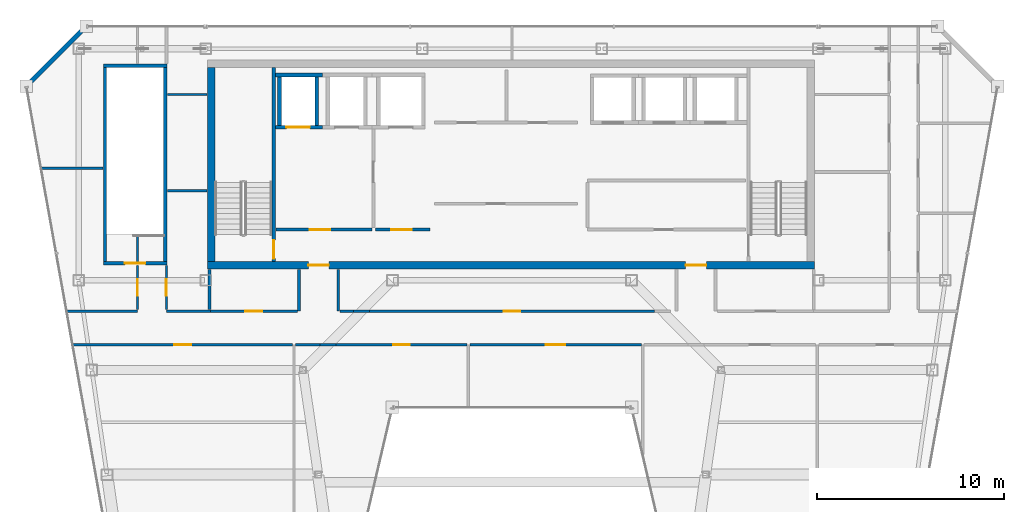
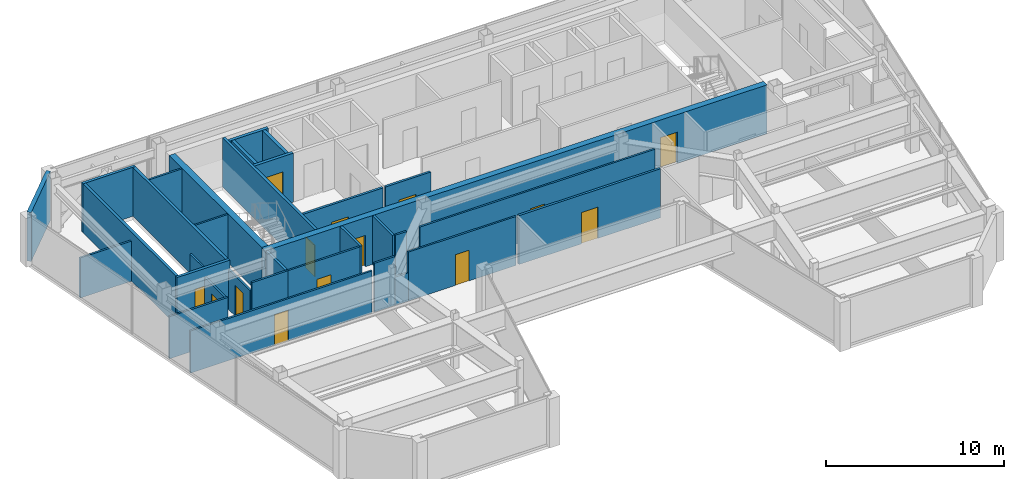
# One storey, part 25 of 30: 34 walls, 14 doors, 14 openings.
"""IFC4 building model written with IfcOpenShell, lengths in metres."""

from ifc_helpers import new_model, si_unit, direction, frame, frame_2d, origin, place, context, subcontext, project, spatial, rectangle, extrude, material, layer, layer_set, type_object, element, fill, save


model = new_model("IFC4")

# Units and contexts
model_context = context("Model", 3, precision=1e-05, world=origin(), true_north=direction((0.0, 1.0)))
body_context = subcontext(model_context, "Body", "Model", "MODEL_VIEW")
ifc_project = project(units=[si_unit("LENGTHUNIT", "METRE"), si_unit("AREAUNIT", "SQUARE_METRE"), si_unit("VOLUMEUNIT", "CUBIC_METRE"), si_unit("PLANEANGLEUNIT", "RADIAN"), si_unit("MASSUNIT", "GRAM", prefix="KILO")], contexts=[model_context])

# Site, building, storey
site_placement = place(None, origin())
site = spatial("IfcSite", under=ifc_project, at=site_placement, CompositionType="ELEMENT")
building_placement = place(site_placement, origin())
building = spatial("IfcBuilding", under=site, at=building_placement, Name="Saevonmaru Cultural Tower", CompositionType="ELEMENT")
storey_placement = place(building_placement, frame((0.0, 0.0, 272.39990234375)))
storey = spatial("IfcBuildingStorey", under=building, at=storey_placement, Name="L64", CompositionType="ELEMENT", Elevation=272.39990234375)

# Wall, openings, doors
ifc_material_1 = material(Name="Concrete C50/60", Category="concrete")
ifc_layer_1 = layer(ifc_material_1, 0.39990234375, Name="Concrete C50/60")
ifc_layer_set_1 = layer_set([ifc_layer_1], Name="Concrete C50/60")
wall_type_1 = type_object("IfcWallType", Name="WL-CORE-400", PredefinedType="SHEAR", material=ifc_layer_set_1)
wall_1_placement = place(storey_placement, frame((13.699951171875, 43.199951171875, 0.0), z_axis=(0.0, 0.0, 1.0), x_axis=(1.0, 0.0, 0.0)))
wall_1 = element("IfcWall", 1, at=wall_1_placement, inside=storey, type_object=wall_type_1, Name="L64 Tower RC core shear wall S", PredefinedType="SHEAR", context=body_context, shape_type="SweptSolid", body=[
    extrude(rectangle(XDim=32.5, YDim=0.39990234375, at=frame_2d((16.25, 0.0))), origin(), (0.0, 0.0, 1.0), 3.35009765625),
])
opening_1_placement = place(wall_1_placement, frame((5.39990234375, 0.0, 0.0)))
opening_1 = element("IfcOpeningElement", 2, at=opening_1_placement, cuts=wall_1, Name="Opening FD-2", PredefinedType="OPENING", context=body_context, shape_type="SweptSolid", body=[
    extrude(rectangle(XDim=1.10009765625, YDim=2.14990234375, at=frame_2d((0.550048828125, 1.074951171875))), frame((0.0, 0.2099609375, 0.0), z_axis=(0.0, -1.0, 0.0), x_axis=(1.0, 0.0, 0.0)), (0.0, 0.0, 1.0), 0.419921875),
])
opening_2_placement = place(wall_1_placement, frame((25.60009765625, 0.0, 0.0)))
opening_2 = element("IfcOpeningElement", 3, at=opening_2_placement, cuts=wall_1, Name="Opening FD-2", PredefinedType="OPENING", context=body_context, shape_type="SweptSolid", body=[
    extrude(rectangle(XDim=1.10009765625, YDim=2.14990234375, at=frame_2d((0.550048828125, 1.074951171875))), frame((0.0, 0.2099609375, 0.0), z_axis=(0.0, -1.0, 0.0), x_axis=(1.0, 0.0, 0.0)), (0.0, 0.0, 1.0), 0.419921875),
])
ifc_material_2 = material(Name="Satin Bronze Anodised Aluminium", Category="aluminium")
door_type_1 = type_object("IfcDoorType", Name="DR-FD60-1100", OperationType="SINGLE_SWING_LEFT", PredefinedType="DOOR", material=ifc_material_2)
door_1_placement = place(opening_1_placement, origin())
door_1 = element("IfcDoor", 4, at=door_1_placement, inside=storey, type_object=door_type_1, Name="L64 Core West Lobby Fire Door", OperationType="SINGLE_SWING_LEFT", OverallHeight=2.14990234375, OverallWidth=1.10009765625, PredefinedType="DOOR", context=body_context, shape_type="SweptSolid", body=[
    extrude(rectangle(XDim=1.10009765625, YDim=2.14990234375, at=frame_2d((0.550048828125, 1.074951171875))), frame((0.0, 0.02490234375, 0.0), z_axis=(0.0, -1.0, 0.0), x_axis=(1.0, 0.0, 0.0)), (0.0, 0.0, 1.0), 0.050048828125),
])
fill(opening_1, door_1)
door_2_placement = place(opening_2_placement, origin())
door_2 = element("IfcDoor", 5, at=door_2_placement, inside=storey, type_object=door_type_1, Name="L64 Core East Lobby Fire Door", OperationType="SINGLE_SWING_LEFT", OverallHeight=2.14990234375, OverallWidth=1.10009765625, PredefinedType="DOOR", context=body_context, shape_type="SweptSolid", body=[
    extrude(rectangle(XDim=1.10009765625, YDim=2.14990234375, at=frame_2d((0.550048828125, 1.074951171875))), frame((0.0, 0.02490234375, 0.0), z_axis=(0.0, -1.0, 0.0), x_axis=(1.0, 0.0, 0.0)), (0.0, 0.0, 1.0), 0.050048828125),
])
fill(opening_2, door_2)

# Wall
wall_2_placement = place(storey_placement, frame((13.89990234375, 43.39990234375, 0.0), z_axis=(0.0, 0.0, 1.0), x_axis=(0.0, 1.0, 0.0)))
element("IfcWall", 6, at=wall_2_placement, inside=storey, type_object=wall_type_1, Name="L64 Tower RC core shear wall W", PredefinedType="SHEAR", context=body_context, shape_type="SweptSolid", body=[
    extrude(rectangle(XDim=10.400146484375, YDim=0.39990234375, at=frame_2d((5.2001953125, 0.0))), origin(), (0.0, 0.0, 1.0), 3.35009765625),
])

# Wall, opening, door
ifc_material_3 = material(Name="Gypsum Fireboard Partition", Category="gypsum")
ifc_layer_2 = layer(ifc_material_3, 0.14990234375, Name="Gypsum Fireboard Partition")
ifc_layer_set_2 = layer_set([ifc_layer_2], Name="Gypsum Fireboard Partition")
wall_type_2 = type_object("IfcWallType", Name="WL-CORE-PART-150", PredefinedType="PARTITIONING", material=ifc_layer_set_2)
wall_3_placement = place(storey_placement, frame((17.360107421875, 45.1201171875, 0.0), z_axis=(0.0, 0.0, 1.0), x_axis=(1.0, 0.0, 0.0)))
wall_3 = element("IfcWall", 7, at=wall_3_placement, inside=storey, type_object=wall_type_2, Name="L64 Firefighting Lift Lobby South Wall", PredefinedType="PARTITIONING", context=body_context, shape_type="SweptSolid", body=[
    extrude(rectangle(XDim=5.139892578125, YDim=0.14990234375, at=frame_2d((2.56982421875, 0.0))), origin(), (0.0, 0.0, 1.0), 3.35009765625),
])
opening_3_placement = place(wall_3_placement, frame((1.800048828125, 0.0, 0.0)))
opening_3 = element("IfcOpeningElement", 8, at=opening_3_placement, cuts=wall_3, Name="Opening FD-2", PredefinedType="OPENING", context=body_context, shape_type="SweptSolid", body=[
    extrude(rectangle(XDim=1.10009765625, YDim=2.14990234375, at=frame_2d((0.550048828125, 1.074951171875))), frame((0.0, 0.0849609375, 0.0), z_axis=(0.0, -1.0, 0.0), x_axis=(1.0, 0.0, 0.0)), (0.0, 0.0, 1.0), 0.169921875),
])
door_3_placement = place(opening_3_placement, origin())
door_3 = element("IfcDoor", 9, at=door_3_placement, inside=storey, type_object=door_type_1, Name="L64 Firefighting Lift Lobby South Door", OperationType="SINGLE_SWING_LEFT", OverallHeight=2.14990234375, OverallWidth=1.10009765625, PredefinedType="DOOR", context=body_context, shape_type="SweptSolid", body=[
    extrude(rectangle(XDim=1.10009765625, YDim=2.14990234375, at=frame_2d((0.550048828125, 1.074951171875))), frame((0.0, 0.02490234375, 0.0), z_axis=(0.0, -1.0, 0.0), x_axis=(1.0, 0.0, 0.0)), (0.0, 0.0, 1.0), 0.050048828125),
])
fill(opening_3, door_3)

wall_4_placement = place(storey_placement, frame((22.679931640625, 45.1201171875, 0.0), z_axis=(0.0, 0.0, 1.0), x_axis=(1.0, 0.0, 0.0)))
wall_4 = element("IfcWall", 10, at=wall_4_placement, inside=storey, type_object=wall_type_2, Name="L64 Service Lift Vestibule Wall", PredefinedType="PARTITIONING", context=body_context, shape_type="SweptSolid", body=[
    extrude(rectangle(XDim=2.920166015625, YDim=0.14990234375, at=frame_2d((1.4599609375, 0.0))), origin(), (0.0, 0.0, 1.0), 3.35009765625),
])
opening_4_placement = place(wall_4_placement, frame((0.85009765625, 0.0, 0.0)))
opening_4 = element("IfcOpeningElement", 11, at=opening_4_placement, cuts=wall_4, Name="Opening FD-2", PredefinedType="OPENING", context=body_context, shape_type="SweptSolid", body=[
    extrude(rectangle(XDim=1.10009765625, YDim=2.14990234375, at=frame_2d((0.550048828125, 1.074951171875))), frame((0.0, 0.0849609375, 0.0), z_axis=(0.0, -1.0, 0.0), x_axis=(1.0, 0.0, 0.0)), (0.0, 0.0, 1.0), 0.169921875),
])
door_4_placement = place(opening_4_placement, origin())
door_4 = element("IfcDoor", 12, at=door_4_placement, inside=storey, type_object=door_type_1, Name="L64 Service Lift Vestibule Door", OperationType="SINGLE_SWING_LEFT", OverallHeight=2.14990234375, OverallWidth=1.10009765625, PredefinedType="DOOR", context=body_context, shape_type="SweptSolid", body=[
    extrude(rectangle(XDim=1.10009765625, YDim=2.14990234375, at=frame_2d((0.550048828125, 1.074951171875))), frame((0.0, 0.02490234375, 0.0), z_axis=(0.0, -1.0, 0.0), x_axis=(1.0, 0.0, 0.0)), (0.0, 0.0, 1.0), 0.050048828125),
])
fill(opening_4, door_4)

# Walls
ifc_material_4 = material(Name="Granite-Clad Precast Concrete C40/50", Category="masonry")
ifc_layer_3 = layer(ifc_material_4, 0.260009765625, Name="Granite-Clad Precast Concrete C40/50")
ifc_layer_set_3 = layer_set([ifc_layer_3], Name="Granite-Clad Precast Concrete C40/50")
wall_type_3 = type_object("IfcWallType", Name="WL-EXT-SPANDREL-260", PredefinedType="STANDARD", material=ifc_layer_set_3)
wall_5_placement = place(storey_placement, frame((7.0869140625, 55.886962890625, 0.0), z_axis=(0.0, 0.0, 1.0), x_axis=(-0.707106781187, -0.707106781187, 0.0)))
element("IfcWall", 13, at=wall_5_placement, inside=storey, type_object=wall_type_3, Name="L64 Chamfer Corner Spandrel Wall E11", PredefinedType="STANDARD", context=body_context, shape_type="SweptSolid", body=[
    extrude(rectangle(XDim=4.205810546875, YDim=0.260009765625, at=frame_2d((2.10302734375, 0.0))), origin(), (0.0, 0.0, 1.0), 3.35009765625),
])
ifc_layer_4 = layer(ifc_material_3, 0.14990234375, Name="Gypsum Fireboard Partition")
ifc_layer_set_4 = layer_set([ifc_layer_4], Name="Gypsum Fireboard Partition")
wall_type_4 = type_object("IfcWallType", Name="WL-PART-FIRE-150", PredefinedType="PARTITIONING", material=ifc_layer_set_4)
wall_6_placement = place(storey_placement, frame((13.800048828125, 40.830078125, 0.0), z_axis=(0.0, 0.0, 1.0), x_axis=(0.0, 1.0, 0.0)))
element("IfcWall", 14, at=wall_6_placement, inside=storey, type_object=wall_type_4, Name="L64 Core Portal Side Wall W0", PredefinedType="PARTITIONING", context=body_context, shape_type="SweptSolid", body=[
    extrude(rectangle(XDim=2.14990234375, YDim=0.14990234375, at=frame_2d((1.074951171875, 0.0))), origin(), (0.0, 0.0, 1.0), 3.35009765625),
])
for number, where, z_axis, x_axis, name in (
    (15, (18.60009765625, 40.75, 0.0), (0.0, 0.0, 1.0), (0.0, 1.0, 0.0), "L64 Core Portal Side Wall W1"),
    (16, (20.699951171875, 40.75, 0.0), (0.0, 0.0, 1.0), (0.0, 1.0, 0.0), "L64 Core Portal Side Wall W2"),
):
    element("IfcWall", number, at=place(storey_placement, frame(where, z_axis=z_axis, x_axis=x_axis)), inside=storey, type_object=wall_type_4, Name=name, PredefinedType="PARTITIONING", context=body_context, shape_type="SweptSolid", body=[
        extrude(rectangle(XDim=2.22998046875, YDim=0.14990234375, at=frame_2d((1.114990234375, 0.0))), origin(), (0.0, 0.0, 1.0), 3.35009765625),
    ])

# Wall, opening, door
wall_7_placement = place(storey_placement, frame((27.757568359375, 38.949951171875, 0.0), z_axis=(0.0, 0.0, 1.0), x_axis=(1.0, 0.0, 0.0)))
wall_7 = element("IfcWall", 17, at=wall_7_placement, inside=storey, type_object=wall_type_4, Name="L64 Sculpture Study Gallery Corridor Wall", PredefinedType="PARTITIONING", context=body_context, shape_type="SweptSolid", body=[
    extrude(rectangle(XDim=9.162353515625, YDim=0.14990234375, at=frame_2d((4.5810546875, 0.0))), origin(), (0.0, 0.0, 1.0), 3.35009765625),
])
opening_5_placement = place(wall_7_placement, frame((4.055908203125, 0.0, 0.0)))
opening_5 = element("IfcOpeningElement", 18, at=opening_5_placement, cuts=wall_7, Name="Opening ID-1", PredefinedType="OPENING", context=body_context, shape_type="SweptSolid", body=[
    extrude(rectangle(XDim=1.050048828125, YDim=2.14990234375, at=frame_2d((0.52490234375, 1.074951171875))), frame((0.0, 0.0849609375, 0.0), z_axis=(0.0, -1.0, 0.0), x_axis=(1.0, 0.0, 0.0)), (0.0, 0.0, 1.0), 0.169921875),
])
door_type_2 = type_object("IfcDoorType", Name="DR-INT-1050", OperationType="SINGLE_SWING_LEFT", PredefinedType="DOOR", material=ifc_material_2)
door_5_placement = place(opening_5_placement, origin())
door_5 = element("IfcDoor", 19, at=door_5_placement, inside=storey, type_object=door_type_2, Name="L64 Sculpture Study Gallery Door", OperationType="SINGLE_SWING_LEFT", OverallHeight=2.14990234375, OverallWidth=1.050048828125, PredefinedType="DOOR", context=body_context, shape_type="SweptSolid", body=[
    extrude(rectangle(XDim=1.050048828125, YDim=2.14990234375, at=frame_2d((0.52490234375, 1.074951171875))), frame((0.0, 0.02490234375, 0.0), z_axis=(0.0, -1.0, 0.0), x_axis=(1.0, 0.0, 0.0)), (0.0, 0.0, 1.0), 0.050048828125),
])
fill(opening_5, door_5)

# Walls
ifc_layer_5 = layer(ifc_material_3, 0.1201171875, Name="Gypsum Fireboard Partition")
ifc_layer_set_5 = layer_set([ifc_layer_5], Name="Gypsum Fireboard Partition")
wall_type_5 = type_object("IfcWallType", Name="WL-PART-GYP-120", PredefinedType="PARTITIONING", material=ifc_layer_set_5)
wall_8_placement = place(storey_placement, frame((6.161376953125, 40.75, 0.0), z_axis=(0.0, 0.0, 1.0), x_axis=(1.0, 0.0, 0.0)))
element("IfcWall", 20, at=wall_8_placement, inside=storey, type_object=wall_type_5, Name="L64 NW Wing South Wall", PredefinedType="PARTITIONING", context=body_context, shape_type="SweptSolid", body=[
    extrude(rectangle(XDim=3.78857421875, YDim=0.1201171875, at=frame_2d((1.894287109375, 0.0))), origin(), (0.0, 0.0, 1.0), 2.885009765625),
])
wall_9_placement = place(storey_placement, frame((11.5, 40.75, 0.0), z_axis=(0.0, 0.0, 1.0), x_axis=(1.0, 0.0, 0.0)))
element("IfcWall", 21, at=wall_9_placement, inside=storey, type_object=wall_type_5, Name="L64 NW Inner South Wall", PredefinedType="PARTITIONING", context=body_context, shape_type="SweptSolid", body=[
    extrude(rectangle(XDim=2.35009765625, YDim=0.1201171875, at=frame_2d((1.175048828125, 0.0))), origin(), (0.0, 0.0, 1.0), 3.35009765625),
])
wall_10_placement = place(storey_placement, frame((11.550048828125, 52.35009765625, 0.0), z_axis=(0.0, 0.0, 1.0), x_axis=(1.0, 0.0, 0.0)))
element("IfcWall", 22, at=wall_10_placement, inside=storey, type_object=wall_type_5, Name="L64 North-West Panorama South Wall", PredefinedType="PARTITIONING", context=body_context, shape_type="SweptSolid", body=[
    extrude(rectangle(XDim=2.1298828125, YDim=0.1201171875, at=frame_2d((1.06494140625, 0.0))), origin(), (0.0, 0.0, 1.0), 3.35009765625),
])
wall_11_placement = place(storey_placement, frame((4.79248046875, 48.39990234375, 0.0), z_axis=(0.0, 0.0, 1.0), x_axis=(1.0, 0.0, 0.0)))
element("IfcWall", 23, at=wall_11_placement, inside=storey, type_object=wall_type_5, Name="L64 NW Studio Divider 1", PredefinedType="PARTITIONING", context=body_context, shape_type="SweptSolid", body=[
    extrude(rectangle(XDim=3.3076171875, YDim=0.1201171875, at=frame_2d((1.65380859375, 0.0))), origin(), (0.0, 0.0, 1.0), 2.7470703125),
])

# Wall, opening, door
wall_12_placement = place(storey_placement, frame((9.949951171875, 40.830078125, 0.0), z_axis=(0.0, 0.0, 1.0), x_axis=(0.0, 1.0, 0.0)))
wall_12 = element("IfcWall", 24, at=wall_12_placement, inside=storey, type_object=wall_type_5, Name="L64 Visiting Fellows Office Corridor Wall", PredefinedType="PARTITIONING", context=body_context, shape_type="SweptSolid", body=[
    extrude(rectangle(XDim=2.369873046875, YDim=0.1201171875, at=frame_2d((1.18505859375, 0.0))), origin(), (0.0, 0.0, 1.0), 2.7470703125),
])
opening_6_placement = place(wall_12_placement, frame((0.735107421875, 0.0, 0.0)))
opening_6 = element("IfcOpeningElement", 25, at=opening_6_placement, cuts=wall_12, Name="Opening ID-2", PredefinedType="OPENING", context=body_context, shape_type="SweptSolid", body=[
    extrude(rectangle(XDim=0.89990234375, YDim=2.10009765625, at=frame_2d((0.449951171875, 1.050048828125))), frame((0.0, 0.070068359375, 0.0), z_axis=(0.0, -1.0, 0.0), x_axis=(1.0, 0.0, 0.0)), (0.0, 0.0, 1.0), 0.14013671875),
])
ifc_material_5 = material(Name="Acoustic Stained Oak Timber", Category="wood")
door_type_3 = type_object("IfcDoorType", Name="DR-INT-900", OperationType="SINGLE_SWING_RIGHT", PredefinedType="DOOR", material=ifc_material_5)
door_6_placement = place(opening_6_placement, origin())
door_6 = element("IfcDoor", 26, at=door_6_placement, inside=storey, type_object=door_type_3, Name="L64 Visiting Fellows Office Door", OperationType="SINGLE_SWING_LEFT", OverallHeight=2.10009765625, OverallWidth=0.89990234375, PredefinedType="DOOR", context=body_context, shape_type="SweptSolid", body=[
    extrude(rectangle(XDim=0.89990234375, YDim=2.10009765625, at=frame_2d((0.449951171875, 1.050048828125))), frame((0.0, 0.02490234375, 0.0), z_axis=(0.0, -1.0, 0.0), x_axis=(1.0, 0.0, 0.0)), (0.0, 0.0, 1.0), 0.050048828125),
])
fill(opening_6, door_6)

# Walls
wall_13_placement = place(storey_placement, frame((9.949951171875, 43.419921875, 0.0), z_axis=(0.0, 0.0, 1.0), x_axis=(0.0, 1.0, 0.0)))
element("IfcWall", 27, at=wall_13_placement, inside=storey, type_object=wall_type_5, Name="L64 Visiting Fellows Office Corridor Wall (2)", PredefinedType="PARTITIONING", context=body_context, shape_type="SweptSolid", body=[
    extrude(rectangle(XDim=1.4501953125, YDim=0.1201171875, at=frame_2d((0.72509765625, 0.0))), origin(), (0.0, 0.0, 1.0), 3.35009765625),
])
wall_14_placement = place(storey_placement, frame((11.550048828125, 47.199951171875, 0.0), z_axis=(0.0, 0.0, 1.0), x_axis=(1.0, 0.0, 0.0)))
element("IfcWall", 28, at=wall_14_placement, inside=storey, type_object=wall_type_5, Name="L64 NW Inner Divider", PredefinedType="PARTITIONING", context=body_context, shape_type="SweptSolid", body=[
    extrude(rectangle(XDim=2.1298828125, YDim=0.1201171875, at=frame_2d((1.06494140625, 0.0))), origin(), (0.0, 0.0, 1.0), 3.35009765625),
])

# Wall, opening, door
wall_15_placement = place(storey_placement, frame((11.5, 40.830078125, 0.0), z_axis=(0.0, 0.0, 1.0), x_axis=(0.0, 1.0, 0.0)))
wall_15 = element("IfcWall", 29, at=wall_15_placement, inside=storey, type_object=wall_type_5, Name="L64 Digital Humanities Office Corridor Wall", PredefinedType="PARTITIONING", context=body_context, shape_type="SweptSolid", body=[
    extrude(rectangle(XDim=2.369873046875, YDim=0.1201171875, at=frame_2d((1.18505859375, 0.0))), origin(), (0.0, 0.0, 1.0), 2.7470703125),
])
opening_7_placement = place(wall_15_placement, frame((0.735107421875, 0.0, 0.0)))
opening_7 = element("IfcOpeningElement", 30, at=opening_7_placement, cuts=wall_15, Name="Opening ID-2", PredefinedType="OPENING", context=body_context, shape_type="SweptSolid", body=[
    extrude(rectangle(XDim=0.89990234375, YDim=2.10009765625, at=frame_2d((0.449951171875, 1.050048828125))), frame((0.0, 0.070068359375, 0.0), z_axis=(0.0, -1.0, 0.0), x_axis=(1.0, 0.0, 0.0)), (0.0, 0.0, 1.0), 0.14013671875),
])
door_7_placement = place(opening_7_placement, origin())
door_7 = element("IfcDoor", 31, at=door_7_placement, inside=storey, type_object=door_type_3, Name="L64 Digital Humanities Office Door", OperationType="SINGLE_SWING_RIGHT", OverallHeight=2.10009765625, OverallWidth=0.89990234375, PredefinedType="DOOR", context=body_context, shape_type="SweptSolid", body=[
    extrude(rectangle(XDim=0.89990234375, YDim=2.10009765625, at=frame_2d((0.449951171875, 1.050048828125))), frame((0.0, 0.02490234375, 0.0), z_axis=(0.0, -1.0, 0.0), x_axis=(1.0, 0.0, 0.0)), (0.0, 0.0, 1.0), 0.050048828125),
])
fill(opening_7, door_7)

wall_16_placement = place(storey_placement, frame((13.85009765625, 40.75, 0.0), z_axis=(0.0, 0.0, 1.0), x_axis=(1.0, 0.0, 0.0)))
wall_16 = element("IfcWall", 32, at=wall_16_placement, inside=storey, type_object=wall_type_5, Name="L64 Visiting Fellows Office Corridor Wall", PredefinedType="PARTITIONING", context=body_context, shape_type="SweptSolid", body=[
    extrude(rectangle(XDim=4.65478515625, YDim=0.1201171875, at=frame_2d((2.327392578125, 0.0))), origin(), (0.0, 0.0, 1.0), 3.35009765625),
])
opening_8_placement = place(wall_16_placement, frame((1.876953125, 0.0, 0.0)))
opening_8 = element("IfcOpeningElement", 33, at=opening_8_placement, cuts=wall_16, Name="Opening ID-2", PredefinedType="OPENING", context=body_context, shape_type="SweptSolid", body=[
    extrude(rectangle(XDim=0.89990234375, YDim=2.10009765625, at=frame_2d((0.449951171875, 1.050048828125))), frame((0.0, 0.070068359375, 0.0), z_axis=(0.0, -1.0, 0.0), x_axis=(1.0, 0.0, 0.0)), (0.0, 0.0, 1.0), 0.14013671875),
])
door_8_placement = place(opening_8_placement, origin())
door_8 = element("IfcDoor", 34, at=door_8_placement, inside=storey, type_object=door_type_3, Name="L64 Visiting Fellows Office Door", OperationType="SINGLE_SWING_RIGHT", OverallHeight=2.10009765625, OverallWidth=0.89990234375, PredefinedType="DOOR", context=body_context, shape_type="SweptSolid", body=[
    extrude(rectangle(XDim=0.89990234375, YDim=2.10009765625, at=frame_2d((0.449951171875, 1.050048828125))), frame((0.0, 0.02490234375, 0.0), z_axis=(0.0, -1.0, 0.0), x_axis=(1.0, 0.0, 0.0)), (0.0, 0.0, 1.0), 0.050048828125),
])
fill(opening_8, door_8)

wall_17_placement = place(storey_placement, frame((22.3837890625, 40.75, 0.0), z_axis=(0.0, 0.0, 1.0), x_axis=(1.0, 0.0, 0.0)))
wall_17 = element("IfcWall", 35, at=wall_17_placement, inside=storey, type_object=wall_type_5, Name="L64 Digital Humanities Office Corridor Wall", PredefinedType="PARTITIONING", context=body_context, shape_type="SweptSolid", body=[
    extrude(rectangle(XDim=15.232421875, YDim=0.1201171875, at=frame_2d((7.6162109375, 0.0))), origin(), (0.0, 0.0, 1.0), 3.35009765625),
])
opening_9_placement = place(wall_17_placement, frame((7.166015625, 0.0, 0.0)))
opening_9 = element("IfcOpeningElement", 36, at=opening_9_placement, cuts=wall_17, Name="Opening ID-2", PredefinedType="OPENING", context=body_context, shape_type="SweptSolid", body=[
    extrude(rectangle(XDim=0.89990234375, YDim=2.10009765625, at=frame_2d((0.449951171875, 1.050048828125))), frame((0.0, 0.070068359375, 0.0), z_axis=(0.0, -1.0, 0.0), x_axis=(1.0, 0.0, 0.0)), (0.0, 0.0, 1.0), 0.14013671875),
])
door_9_placement = place(opening_9_placement, origin())
door_9 = element("IfcDoor", 37, at=door_9_placement, inside=storey, type_object=door_type_3, Name="L64 Digital Humanities Office Door", OperationType="SINGLE_SWING_LEFT", OverallHeight=2.10009765625, OverallWidth=0.89990234375, PredefinedType="DOOR", context=body_context, shape_type="SweptSolid", body=[
    extrude(rectangle(XDim=0.89990234375, YDim=2.10009765625, at=frame_2d((0.449951171875, 1.050048828125))), frame((0.0, 0.02490234375, 0.0), z_axis=(0.0, -1.0, 0.0), x_axis=(1.0, 0.0, 0.0)), (0.0, 0.0, 1.0), 0.050048828125),
])
fill(opening_9, door_9)

# Walls
wall_18_placement = place(storey_placement, frame((20.794921875, 40.75, 0.0), z_axis=(0.0, 0.0, 1.0), x_axis=(1.0, 0.0, 0.0)))
element("IfcWall", 38, at=wall_18_placement, inside=storey, type_object=wall_type_5, Name="L64 Digital Humanities Office Corridor Wall (2)", PredefinedType="PARTITIONING", context=body_context, shape_type="SweptSolid", body=[
    extrude(rectangle(XDim=0.726806640625, YDim=0.1201171875, at=frame_2d((0.36328125, 0.0))), origin(), (0.0, 0.0, 1.0), 3.35009765625),
])
wall_19_placement = place(storey_placement, frame((21.521728515625, 40.75, 0.0), z_axis=(0.0, 0.0, 1.0), x_axis=(1.0, 0.0, 0.0)))
element("IfcWall", 39, at=wall_19_placement, inside=storey, type_object=wall_type_5, Name="L64 Digital Humanities Office Corridor Wall (3)", PredefinedType="PARTITIONING", context=body_context, shape_type="SweptSolid", body=[
    extrude(rectangle(XDim=0.862060546875, YDim=0.1201171875, at=frame_2d((0.43115234375, 0.0))), origin(), (0.0, 0.0, 1.0), 1.93505859375),
])

# Wall, opening, door
wall_20_placement = place(storey_placement, frame((6.4833984375, 38.949951171875, 0.0), z_axis=(0.0, 0.0, 1.0), x_axis=(1.0, 0.0, 0.0)))
wall_20 = element("IfcWall", 40, at=wall_20_placement, inside=storey, type_object=wall_type_5, Name="L64 Visiting Fellows Office Corridor Wall", PredefinedType="PARTITIONING", context=body_context, shape_type="SweptSolid", body=[
    extrude(rectangle(XDim=11.7666015625, YDim=0.1201171875, at=frame_2d((5.88330078125, 0.0))), origin(), (0.0, 0.0, 1.0), 2.885009765625),
])
opening_10_placement = place(wall_20_placement, frame((5.43310546875, 0.0, 0.0)))
opening_10 = element("IfcOpeningElement", 41, at=opening_10_placement, cuts=wall_20, Name="Opening ID-2", PredefinedType="OPENING", context=body_context, shape_type="SweptSolid", body=[
    extrude(rectangle(XDim=0.89990234375, YDim=2.10009765625, at=frame_2d((0.449951171875, 1.050048828125))), frame((0.0, 0.070068359375, 0.0), z_axis=(0.0, -1.0, 0.0), x_axis=(1.0, 0.0, 0.0)), (0.0, 0.0, 1.0), 0.14013671875),
])
door_10_placement = place(opening_10_placement, origin())
door_10 = element("IfcDoor", 42, at=door_10_placement, inside=storey, type_object=door_type_3, Name="L64 Visiting Fellows Office Door", OperationType="SINGLE_SWING_LEFT", OverallHeight=2.10009765625, OverallWidth=0.89990234375, PredefinedType="DOOR", context=body_context, shape_type="SweptSolid", body=[
    extrude(rectangle(XDim=0.89990234375, YDim=2.10009765625, at=frame_2d((0.449951171875, 1.050048828125))), frame((0.0, 0.02490234375, 0.0), z_axis=(0.0, -1.0, 0.0), x_axis=(1.0, 0.0, 0.0)), (0.0, 0.0, 1.0), 0.050048828125),
])
fill(opening_10, door_10)

wall_21_placement = place(storey_placement, frame((20.586669921875, 38.949951171875, 0.0), z_axis=(0.0, 0.0, 1.0), x_axis=(1.0, 0.0, 0.0)))
wall_21 = element("IfcWall", 43, at=wall_21_placement, inside=storey, type_object=wall_type_5, Name="L64 Digital Humanities Office Corridor Wall", PredefinedType="PARTITIONING", context=body_context, shape_type="SweptSolid", body=[
    extrude(rectangle(XDim=6.995849609375, YDim=0.1201171875, at=frame_2d((3.498046875, 0.0))), origin(), (0.0, 0.0, 1.0), 3.35009765625),
])
opening_11_placement = place(wall_21_placement, frame((3.048095703125, 0.0, 0.0)))
opening_11 = element("IfcOpeningElement", 44, at=opening_11_placement, cuts=wall_21, Name="Opening ID-2", PredefinedType="OPENING", context=body_context, shape_type="SweptSolid", body=[
    extrude(rectangle(XDim=0.89990234375, YDim=2.10009765625, at=frame_2d((0.449951171875, 1.050048828125))), frame((0.0, 0.070068359375, 0.0), z_axis=(0.0, -1.0, 0.0), x_axis=(1.0, 0.0, 0.0)), (0.0, 0.0, 1.0), 0.14013671875),
])
door_11_placement = place(opening_11_placement, origin())
door_11 = element("IfcDoor", 45, at=door_11_placement, inside=storey, type_object=door_type_3, Name="L64 Digital Humanities Office Door", OperationType="SINGLE_SWING_RIGHT", OverallHeight=2.10009765625, OverallWidth=0.89990234375, PredefinedType="DOOR", context=body_context, shape_type="SweptSolid", body=[
    extrude(rectangle(XDim=0.89990234375, YDim=2.10009765625, at=frame_2d((0.449951171875, 1.050048828125))), frame((0.0, 0.02490234375, 0.0), z_axis=(0.0, -1.0, 0.0), x_axis=(1.0, 0.0, 0.0)), (0.0, 0.0, 1.0), 0.050048828125),
])
fill(opening_11, door_11)

# Walls
wall_22_placement = place(storey_placement, frame((18.409912109375, 38.949951171875, 0.0), z_axis=(0.0, 0.0, 1.0), x_axis=(1.0, 0.0, 0.0)))
element("IfcWall", 46, at=wall_22_placement, inside=storey, type_object=wall_type_5, Name="L64 Digital Humanities Office Corridor Wall (2)", PredefinedType="PARTITIONING", context=body_context, shape_type="SweptSolid", body=[
    extrude(rectangle(XDim=1.31494140625, YDim=0.1201171875, at=frame_2d((0.657470703125, 0.0))), origin(), (0.0, 0.0, 1.0), 3.35009765625),
])
wall_23_placement = place(storey_placement, frame((19.724853515625, 38.949951171875, 0.0), z_axis=(0.0, 0.0, 1.0), x_axis=(1.0, 0.0, 0.0)))
element("IfcWall", 47, at=wall_23_placement, inside=storey, type_object=wall_type_5, Name="L64 Digital Humanities Office Corridor Wall (3)", PredefinedType="PARTITIONING", context=body_context, shape_type="SweptSolid", body=[
    extrude(rectangle(XDim=0.86181640625, YDim=0.1201171875, at=frame_2d((0.430908203125, 0.0))), origin(), (0.0, 0.0, 1.0), 1.93505859375),
])

# Wall, opening, door
ifc_material_6 = material(Name="Concrete C40/50", Category="concrete")
ifc_layer_6 = layer(ifc_material_6, 0.199951171875, Name="Concrete C40/50")
ifc_layer_set_6 = layer_set([ifc_layer_6], Name="Concrete C40/50")
wall_type_6 = type_object("IfcWallType", Name="WL-SHAFT-200", PredefinedType="SHEAR", material=ifc_layer_set_6)
wall_24_placement = place(storey_placement, frame((17.330078125, 50.60009765625, 0.0), z_axis=(0.0, 0.0, 1.0), x_axis=(1.0, 0.0, 0.0)))
wall_24 = element("IfcWall", 48, at=wall_24_placement, inside=storey, type_object=wall_type_6, Name="L64 Lift FFL-1 Hoistway Wall S", PredefinedType="SHEAR", context=body_context, shape_type="SweptSolid", body=[
    extrude(rectangle(XDim=2.52001953125, YDim=0.199951171875, at=frame_2d((1.260009765625, 0.0))), origin(), (0.0, 0.0, 1.0), 3.35009765625),
])
opening_12_placement = place(wall_24_placement, frame((0.594970703125, 0.0, 0.0)))
opening_12 = element("IfcOpeningElement", 49, at=opening_12_placement, cuts=wall_24, Name="Opening LD-2", PredefinedType="OPENING", context=body_context, shape_type="SweptSolid", body=[
    extrude(rectangle(XDim=1.25, YDim=2.300048828125, at=frame_2d((0.625, 1.14990234375))), frame((0.0, 0.10986328125, 0.0), z_axis=(0.0, -1.0, 0.0), x_axis=(1.0, 0.0, 0.0)), (0.0, 0.0, 1.0), 0.219970703125),
])
ifc_material_7 = material(Name="Stainless Steel 316", Category="steel")
door_type_4 = type_object("IfcDoorType", Name="DR-LIFT-1250", OperationType="SLIDING_TO_LEFT", PredefinedType="DOOR", material=ifc_material_7)
door_12_placement = place(opening_12_placement, origin())
door_12 = element("IfcDoor", 50, at=door_12_placement, inside=storey, type_object=door_type_4, Name="L64 Lift FFL-1 Sliding Landing Door", OperationType="SLIDING_TO_LEFT", OverallHeight=2.300048828125, OverallWidth=1.25, PredefinedType="DOOR", context=body_context, shape_type="SweptSolid", body=[
    extrude(rectangle(XDim=1.25, YDim=2.300048828125, at=frame_2d((0.625, 1.14990234375))), frame((0.0, 0.02490234375, 0.0), z_axis=(0.0, -1.0, 0.0), x_axis=(1.0, 0.0, 0.0)), (0.0, 0.0, 1.0), 0.050048828125),
])
fill(opening_12, door_12)

# Walls
wall_25_placement = place(storey_placement, frame((17.330078125, 53.39990234375, 0.0), z_axis=(0.0, 0.0, 1.0), x_axis=(1.0, 0.0, 0.0)))
element("IfcWall", 51, at=wall_25_placement, inside=storey, type_object=wall_type_6, Name="L64 Lift FFL-1 Hoistway Wall N", PredefinedType="SHEAR", context=body_context, shape_type="SweptSolid", body=[
    extrude(rectangle(XDim=2.52001953125, YDim=0.199951171875, at=frame_2d((1.260009765625, 0.0))), origin(), (0.0, 0.0, 1.0), 3.35009765625),
])
for number, where, z_axis, x_axis, name in (
    (52, (17.550048828125, 50.699951171875, 0.0), (0.0, 0.0, 1.0), (0.0, 1.0, 0.0), "L64 Lift FFL-1 Hoistway Wall W"),
    (53, (19.550048828125, 50.699951171875, 0.0), (0.0, 0.0, 1.0), (0.0, 1.0, 0.0), "L64 Lift FFL-1 Hoistway Wall E"),
):
    element("IfcWall", number, at=place(storey_placement, frame(where, z_axis=z_axis, x_axis=x_axis)), inside=storey, type_object=wall_type_6, Name=name, PredefinedType="SHEAR", context=body_context, shape_type="SweptSolid", body=[
        extrude(rectangle(XDim=2.60009765625, YDim=0.199951171875, at=frame_2d((1.300048828125, 0.0))), origin(), (0.0, 0.0, 1.0), 3.35009765625),
    ])

# Wall, opening, door
ifc_layer_7 = layer(ifc_material_6, 0.179931640625, Name="Concrete C40/50")
ifc_layer_set_7 = layer_set([ifc_layer_7], Name="Concrete C40/50")
wall_type_7 = type_object("IfcWallType", Name="WL-STSHAFT-180", PredefinedType="SHEAR", material=ifc_layer_set_7)
wall_26_placement = place(storey_placement, frame((17.239990234375, 43.39990234375, 0.0), z_axis=(0.0, 0.0, 1.0), x_axis=(0.0, 1.0, 0.0)))
wall_26 = element("IfcWall", 54, at=wall_26_placement, inside=storey, type_object=wall_type_7, Name="L64 Stair ST-1 Structural Shaft Wall 1", PredefinedType="SHEAR", context=body_context, shape_type="SweptSolid", body=[
    extrude(rectangle(XDim=10.400146484375, YDim=0.179931640625, at=frame_2d((5.2001953125, 0.0))), origin(), (0.0, 0.0, 1.0), 3.35009765625),
])
opening_13_placement = place(wall_26_placement, frame((0.159912109375, 0.0, 0.0)))
opening_13 = element("IfcOpeningElement", 55, at=opening_13_placement, cuts=wall_26, Name="Opening FD-3", PredefinedType="OPENING", context=body_context, shape_type="SweptSolid", body=[
    extrude(rectangle(XDim=1.0, YDim=2.14990234375, at=frame_2d((0.5, 1.074951171875))), frame((0.0, 0.10009765625, 0.0), z_axis=(0.0, -1.0, 0.0), x_axis=(1.0, 0.0, 0.0)), (0.0, 0.0, 1.0), 0.199951171875),
])
door_type_5 = type_object("IfcDoorType", Name="DR-FD60-1000", OperationType="SINGLE_SWING_RIGHT", PredefinedType="DOOR", material=ifc_material_2)
door_13_placement = place(opening_13_placement, origin())
door_13 = element("IfcDoor", 56, at=door_13_placement, inside=storey, type_object=door_type_5, Name="L64 Protected Stair ST-1 Fire Door", OperationType="SINGLE_SWING_RIGHT", OverallHeight=2.14990234375, OverallWidth=1.0, PredefinedType="DOOR", context=body_context, shape_type="SweptSolid", body=[
    extrude(rectangle(XDim=1.0, YDim=2.14990234375, at=frame_2d((0.5, 1.074951171875))), frame((0.0, 0.02490234375, 0.0), z_axis=(0.0, -1.0, 0.0), x_axis=(1.0, 0.0, 0.0)), (0.0, 0.0, 1.0), 0.050048828125),
])
fill(opening_13, door_13)

wall_27_placement = place(storey_placement, frame((8.1201171875, 43.31005859375, 0.0), z_axis=(0.0, 0.0, 1.0), x_axis=(1.0, 0.0, 0.0)))
wall_27 = element("IfcWall", 57, at=wall_27_placement, inside=storey, type_object=wall_type_7, Name="L64 Stair ST-3 Structural Shaft Wall 1", PredefinedType="SHEAR", context=body_context, shape_type="SweptSolid", body=[
    extrude(rectangle(XDim=3.409912109375, YDim=0.179931640625, at=frame_2d((1.705078125, 0.0))), origin(), (0.0, 0.0, 1.0), 3.35009765625),
])
opening_14_placement = place(wall_27_placement, frame((1.14990234375, 0.0, 0.0)))
opening_14 = element("IfcOpeningElement", 58, at=opening_14_placement, cuts=wall_27, Name="Opening FD-2", PredefinedType="OPENING", context=body_context, shape_type="SweptSolid", body=[
    extrude(rectangle(XDim=1.10009765625, YDim=2.14990234375, at=frame_2d((0.550048828125, 1.074951171875))), frame((0.0, 0.10009765625, 0.0), z_axis=(0.0, -1.0, 0.0), x_axis=(1.0, 0.0, 0.0)), (0.0, 0.0, 1.0), 0.199951171875),
])
door_14_placement = place(opening_14_placement, origin())
door_14 = element("IfcDoor", 59, at=door_14_placement, inside=storey, type_object=door_type_1, Name="L64 Protected Stair ST-3 Fire Door", OperationType="SINGLE_SWING_LEFT", OverallHeight=2.14990234375, OverallWidth=1.10009765625, PredefinedType="DOOR", context=body_context, shape_type="SweptSolid", body=[
    extrude(rectangle(XDim=1.10009765625, YDim=2.14990234375, at=frame_2d((0.550048828125, 1.074951171875))), frame((0.0, 0.02490234375, 0.0), z_axis=(0.0, -1.0, 0.0), x_axis=(1.0, 0.0, 0.0)), (0.0, 0.0, 1.0), 0.050048828125),
])
fill(opening_14, door_14)

# Walls
wall_28_placement = place(storey_placement, frame((11.43994140625, 43.39990234375, 0.0), z_axis=(0.0, 0.0, 1.0), x_axis=(0.0, 1.0, 0.0)))
element("IfcWall", 60, at=wall_28_placement, inside=storey, type_object=wall_type_7, Name="L64 Stair ST-3 Structural Shaft Wall 2", PredefinedType="SHEAR", context=body_context, shape_type="SweptSolid", body=[
    extrude(rectangle(XDim=10.400146484375, YDim=0.179931640625, at=frame_2d((5.2001953125, 0.0))), origin(), (0.0, 0.0, 1.0), 3.35009765625),
])
wall_29_placement = place(storey_placement, frame((11.530029296875, 53.889892578125, 0.0), z_axis=(0.0, 0.0, 1.0), x_axis=(-1.0, 0.0, 0.0)))
element("IfcWall", 61, at=wall_29_placement, inside=storey, type_object=wall_type_7, Name="L64 Stair ST-3 Structural Shaft Wall 3", PredefinedType="SHEAR", context=body_context, shape_type="SweptSolid", body=[
    extrude(rectangle(XDim=3.409912109375, YDim=0.179931640625, at=frame_2d((1.705078125, 0.0))), origin(), (0.0, 0.0, 1.0), 3.35009765625),
])
wall_30_placement = place(storey_placement, frame((8.2099609375, 53.800048828125, 0.0), z_axis=(0.0, 0.0, 1.0), x_axis=(0.0, -1.0, 0.0)))
element("IfcWall", 62, at=wall_30_placement, inside=storey, type_object=wall_type_7, Name="L64 Stair ST-3 Structural Shaft Wall 4", PredefinedType="SHEAR", context=body_context, shape_type="SweptSolid", body=[
    extrude(rectangle(XDim=10.400146484375, YDim=0.179931640625, at=frame_2d((5.2001953125, 0.0))), origin(), (0.0, 0.0, 1.0), 3.35009765625),
])

save(model, "model.ifc")
